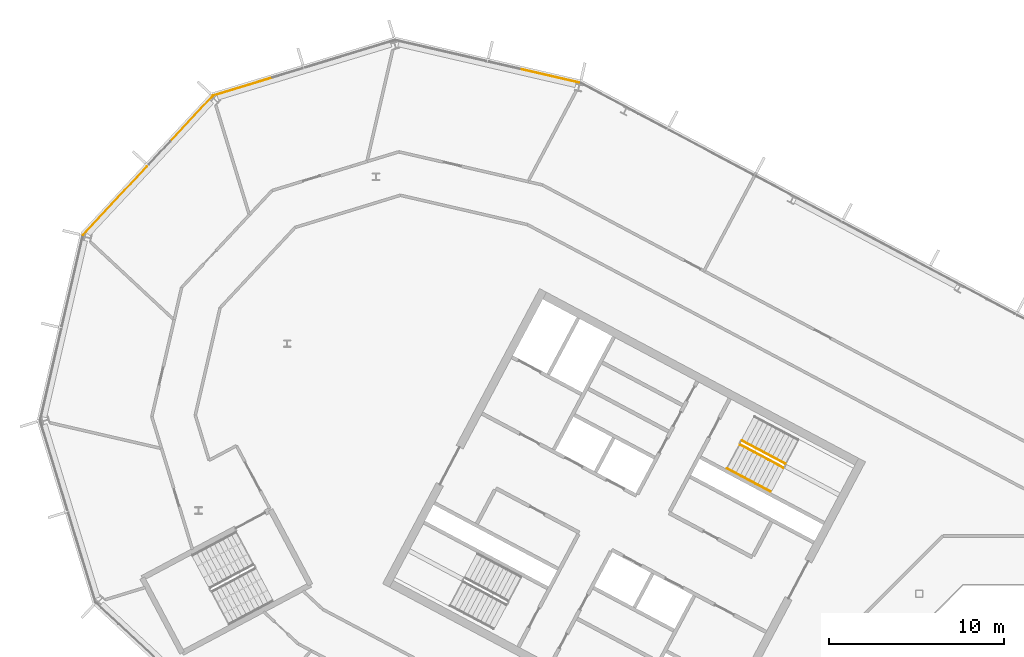
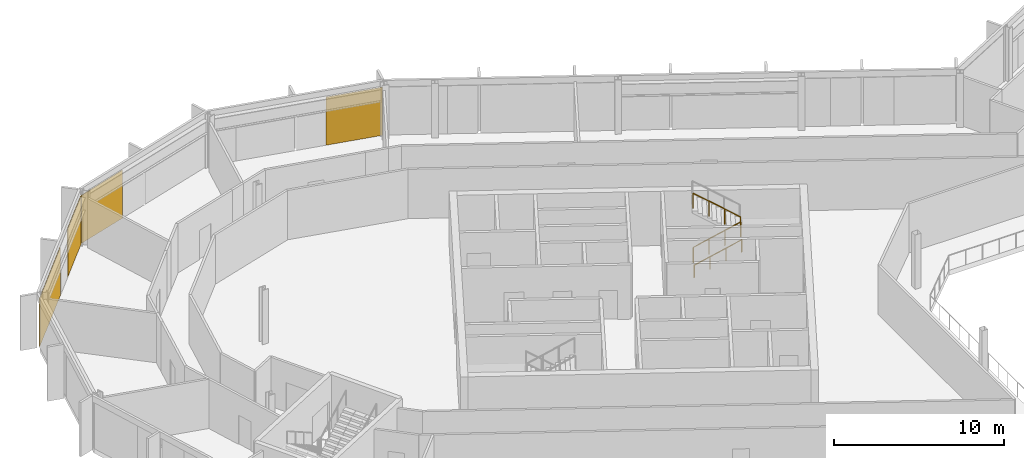
# One storey, part 22 of 26: 4 coverings, 3 railings, 3 elements without a shape of their own.
"""IFC4 building model written with IfcOpenShell, lengths in metres."""

from ifc_helpers import new_model, si_unit, direction, frame, origin, origin_2d, place, context, subcontext, project, spatial, polyline, rectangle, outline, extrude, material, layer, layer_set, type_object, element, aggregate, save


model = new_model("IFC4")

# Units and contexts
model_context = context("Model", 3, precision=1e-05, world=origin(), true_north=direction((0.0, 1.0)))
body_context = subcontext(model_context, "Body", "Model", "MODEL_VIEW")
ifc_project = project(units=[si_unit("LENGTHUNIT", "METRE"), si_unit("AREAUNIT", "SQUARE_METRE"), si_unit("VOLUMEUNIT", "CUBIC_METRE"), si_unit("PLANEANGLEUNIT", "RADIAN"), si_unit("MASSUNIT", "GRAM", prefix="KILO")], contexts=[model_context])

# Site, building, storey
site_placement = place(None, origin())
site = spatial("IfcSite", under=ifc_project, at=site_placement, CompositionType="ELEMENT")
building_placement = place(site_placement, origin())
building = spatial("IfcBuilding", under=site, at=building_placement, Name="Cormorant Relay Tower", CompositionType="ELEMENT")
storey_placement = place(building_placement, frame((0.0, 0.0, 285.300048828125)))
storey = spatial("IfcBuildingStorey", under=building, at=storey_placement, Name="L64", CompositionType="ELEMENT", Elevation=285.300048828125)

# Curtain wall, covering
ifc_material_1 = material(Name="Aluminium 6063-T6 anodised bronze", Category="aluminium")
ifc_layer_1 = layer(ifc_material_1, 0.199951171875)
ifc_layer_set_1 = layer_set([ifc_layer_1], Name="CW1 unitised bronze curtain wall with vertical fins")
curtain_wall_type = type_object("IfcCurtainWallType", Name="CW1 unitised bronze curtain wall with vertical fins", PredefinedType="NOTDEFINED", material=ifc_layer_set_1)
curtain_wall_1_placement = place(storey_placement, origin())
curtain_wall_1 = element("IfcCurtainWall", 1, at=curtain_wall_1_placement, inside=storey, type_object=curtain_wall_type, Name="CW1 curtain wall 10", PredefinedType="NOTDEFINED")
ifc_material_2 = material(Name="Pale bronze anodised aluminium insulated panel", Category="aluminium")
ifc_layer_2 = layer(ifc_material_2, 0.0400390625)
ifc_layer_set_2 = layer_set([ifc_layer_2], Name="CW1 pale bronze insulated panel 40")
covering_type = type_object("IfcCoveringType", Name="CW1 pale bronze insulated panel 40", PredefinedType="CLADDING", material=ifc_layer_set_2)
covering_1_placement = place(storey_placement, frame((-31.640380859375, 40.096435546875, 0.0), z_axis=(0.0, 0.0, 1.0), x_axis=(-0.974370064785, 0.224951054344, 0.0)))
covering_1 = element("IfcCovering", 2, at=covering_1_placement, type_object=covering_type, Name="CW1 panel S00", PredefinedType="CLADDING", context=body_context, shape_type="SweptSolid", body=[
    extrude(rectangle(XDim=3.485107421875, YDim=0.0400390625, at=origin_2d()), origin(), (0.0, 0.0, 1.0), 3.449951171875),
])
aggregate(curtain_wall_1, [covering_1])

curtain_wall_2_placement = place(storey_placement, origin())
curtain_wall_2 = element("IfcCurtainWall", 3, at=curtain_wall_2_placement, inside=storey, type_object=curtain_wall_type, Name="CW1 curtain wall 11", PredefinedType="NOTDEFINED")
covering_2_placement = place(storey_placement, frame((-49.16455078125, 39.474853515625, 0.0), z_axis=(0.0, 0.0, 1.0), x_axis=(-0.956304755963, -0.292371704723, 0.0)))
covering_2 = element("IfcCovering", 4, at=covering_2_placement, type_object=covering_type, Name="CW1 panel S02", PredefinedType="CLADDING", context=body_context, shape_type="SweptSolid", body=[
    extrude(rectangle(XDim=3.560302734375, YDim=0.0400390625, at=origin_2d()), origin(), (0.0, 0.0, 1.0), 3.449951171875),
])
aggregate(curtain_wall_2, [covering_2])

# Curtain wall, coverings
curtain_wall_3_placement = place(storey_placement, origin())
curtain_wall_3 = element("IfcCurtainWall", 5, at=curtain_wall_3_placement, inside=storey, type_object=curtain_wall_type, Name="CW1 curtain wall 12", PredefinedType="NOTDEFINED")
covering_3_placement = place(storey_placement, frame((-52.115234375, 37.61962890625, 0.0), z_axis=(0.0, 0.0, 1.0), x_axis=(-0.681998360062, -0.731353701619, 0.0)))
covering_3 = element("IfcCovering", 6, at=covering_3_placement, type_object=covering_type, Name="CW1 panel S00", PredefinedType="CLADDING", context=body_context, shape_type="SweptSolid", body=[
    extrude(rectangle(XDim=3.485107421875, YDim=0.0400390625, at=origin_2d()), origin(), (0.0, 0.0, 1.0), 3.449951171875),
])
covering_4_placement = place(storey_placement, frame((-56.461181640625, 32.958984375, 0.0), z_axis=(0.0, 0.0, 1.0), x_axis=(-0.681998360062, -0.731353701619, 0.0)))
covering_4 = element("IfcCovering", 7, at=covering_4_placement, type_object=covering_type, Name="CW1 panel S02", PredefinedType="CLADDING", context=body_context, shape_type="SweptSolid", body=[
    extrude(rectangle(XDim=5.360107421875, YDim=0.0400390625, at=origin_2d()), origin(), (0.0, 0.0, 1.0), 3.449951171875),
])
aggregate(curtain_wall_3, [covering_3, covering_4])

# Railings
ifc_material_3 = material(Name="Steel ASTM A572 Grade 50 (Fy 345 MPa)", Category="steel")
railing_type_1 = type_object("IfcRailingType", Name="Stair guard 1100", PredefinedType="GUARDRAIL", material=ifc_material_3)
railing_1_placement = place(storey_placement, frame((-20.75048828125, 19.017822265625, 0.17724609375)))
element("IfcRailing", 8, at=railing_1_placement, inside=storey, type_object=railing_type_1, Name="L64 A1 stair guard 1", PredefinedType="GUARDRAIL", context=body_context, shape_type="SweptSolid", body=[
    extrude(outline(polyline([(0.022216796875, 0.00927734375), (0.00927734375, 0.022216796875), (-0.00927734375, 0.022216796875), (-0.022216796875, 0.00927734375), (-0.022216796875, -0.00927734375), (-0.00927734375, -0.022216796875), (0.00927734375, -0.022216796875), (0.022216796875, -0.00927734375), (0.022216796875, 0.00927734375)])), frame((0.0, 0.0, 1.076171875), z_axis=(0.746001213114, -0.396649272309, 0.534931345884), x_axis=(0.469465464807, 0.882950835185, 0.0)), (0.0, 0.0, 1.0), 3.31396484375),
    extrude(outline(polyline([(0.019287109375, 0.008056640625), (0.008056640625, 0.019287109375), (-0.008056640625, 0.019287109375), (-0.019287109375, 0.008056640625), (-0.019287109375, -0.008056640625), (-0.008056640625, -0.019287109375), (0.008056640625, -0.019287109375), (0.019287109375, -0.008056640625), (0.019287109375, 0.008056640625)])), origin(), (0.0, 0.0, 1.0), 1.052001953125),
    extrude(outline(polyline([(0.019287109375, 0.008056640625), (0.008056640625, 0.019287109375), (-0.008056640625, 0.019287109375), (-0.019287109375, 0.008056640625), (-0.019287109375, -0.008056640625), (-0.008056640625, -0.019287109375), (0.008056640625, -0.019287109375), (0.019287109375, -0.008056640625), (0.019287109375, 0.008056640625)])), frame((0.823974609375, -0.438232421875, 0.5908203125)), (0.0, 0.0, 1.0), 1.052001953125),
    extrude(outline(polyline([(0.019287109375, 0.008056640625), (0.008056640625, 0.019287109375), (-0.008056640625, 0.019287109375), (-0.019287109375, 0.008056640625), (-0.019287109375, -0.008056640625), (-0.008056640625, -0.019287109375), (0.008056640625, -0.019287109375), (0.019287109375, -0.008056640625), (0.019287109375, 0.008056640625)])), frame((1.648193359375, -0.876220703125, 1.181884765625)), (0.0, 0.0, 1.0), 1.052001953125),
    extrude(outline(polyline([(0.019287109375, 0.008056640625), (0.008056640625, 0.019287109375), (-0.008056640625, 0.019287109375), (-0.019287109375, 0.008056640625), (-0.019287109375, -0.008056640625), (-0.008056640625, -0.019287109375), (0.008056640625, -0.019287109375), (0.019287109375, -0.008056640625), (0.019287109375, 0.008056640625)])), frame((2.47216796875, -1.314453125, 1.772705078125)), (0.0, 0.0, 1.0), 1.052001953125),
])
railing_2_placement = place(storey_placement, frame((-18.160888671875, 17.924072265625, 2.127197265625)))
element("IfcRailing", 9, at=railing_2_placement, inside=storey, type_object=railing_type_1, Name="L64 A1 stair guard 3", PredefinedType="GUARDRAIL", context=body_context, shape_type="SweptSolid", body=[
    extrude(outline(polyline([(0.022216796875, 0.00927734375), (0.00927734375, 0.022216796875), (-0.00927734375, 0.022216796875), (-0.022216796875, 0.00927734375), (-0.022216796875, -0.00927734375), (-0.00927734375, -0.022216796875), (0.00927734375, -0.022216796875), (0.022216796875, -0.00927734375), (0.022216796875, 0.00927734375)])), frame((0.0, 0.0, 1.076171875), z_axis=(-0.746033882577, 0.396627473466, 0.534901947407), x_axis=(-0.469429322983, -0.882970050864, 0.0)), (0.0, 0.0, 1.0), 3.31396484375),
    extrude(outline(polyline([(0.019287109375, 0.008056640625), (0.008056640625, 0.019287109375), (-0.008056640625, 0.019287109375), (-0.019287109375, 0.008056640625), (-0.019287109375, -0.008056640625), (-0.008056640625, -0.019287109375), (0.008056640625, -0.019287109375), (0.019287109375, -0.008056640625), (0.019287109375, 0.008056640625)])), origin(), (0.0, 0.0, 1.0), 1.052001953125),
    extrude(outline(polyline([(0.019287109375, 0.008056640625), (0.008056640625, 0.019287109375), (-0.008056640625, 0.019287109375), (-0.019287109375, 0.008056640625), (-0.019287109375, -0.008056640625), (-0.008056640625, -0.019287109375), (0.008056640625, -0.019287109375), (0.019287109375, -0.008056640625), (0.019287109375, 0.008056640625)])), frame((-0.82421875, 0.438232421875, 0.5908203125)), (0.0, 0.0, 1.0), 1.052001953125),
    extrude(outline(polyline([(0.019287109375, 0.008056640625), (0.008056640625, 0.019287109375), (-0.008056640625, 0.019287109375), (-0.019287109375, 0.008056640625), (-0.019287109375, -0.008056640625), (-0.008056640625, -0.019287109375), (0.008056640625, -0.019287109375), (0.019287109375, -0.008056640625), (0.019287109375, 0.008056640625)])), frame((-1.648193359375, 0.876220703125, 1.181884765625)), (0.0, 0.0, 1.0), 1.052001953125),
    extrude(outline(polyline([(0.019287109375, 0.008056640625), (0.008056640625, 0.019287109375), (-0.008056640625, 0.019287109375), (-0.019287109375, 0.008056640625), (-0.019287109375, -0.008056640625), (-0.008056640625, -0.019287109375), (0.008056640625, -0.019287109375), (0.019287109375, -0.008056640625), (0.019287109375, 0.008056640625)])), frame((-2.472412109375, 1.314453125, 1.772705078125)), (0.0, 0.0, 1.0), 1.052001953125),
])
ifc_material_4 = material(Name="Steel ASTM A572 Grade 50 (Fy 345 MPa)", Category="steel")
railing_type_2 = type_object("IfcRailingType", Name="Stair handrail 900", PredefinedType="HANDRAIL", material=ifc_material_4)
railing_3_placement = place(storey_placement, frame((-21.478271484375, 17.6494140625, 0.17724609375)))
element("IfcRailing", 10, at=railing_3_placement, inside=storey, type_object=railing_type_2, Name="L64 A1 stair handrail 1", PredefinedType="HANDRAIL", context=body_context, shape_type="SweptSolid", body=[
    extrude(outline(polyline([(0.022216796875, 0.00927734375), (0.00927734375, 0.022216796875), (-0.00927734375, 0.022216796875), (-0.022216796875, 0.00927734375), (-0.022216796875, -0.00927734375), (-0.00927734375, -0.022216796875), (0.00927734375, -0.022216796875), (0.022216796875, -0.00927734375), (0.022216796875, 0.00927734375)])), frame((0.0, 0.0, 0.8759765625), z_axis=(0.746012083385, -0.396689549623, 0.534886317514), x_axis=(0.469497295046, 0.882933910293, 0.0)), (0.0, 0.0, 1.0), 3.314208984375),
    extrude(outline(polyline([(0.019287109375, 0.008056640625), (0.008056640625, 0.019287109375), (-0.008056640625, 0.019287109375), (-0.019287109375, 0.008056640625), (-0.019287109375, -0.008056640625), (-0.008056640625, -0.019287109375), (0.008056640625, -0.019287109375), (0.019287109375, -0.008056640625), (0.019287109375, 0.008056640625)])), origin(), (0.0, 0.0, 1.0), 0.851806640625),
    extrude(outline(polyline([(0.019287109375, 0.008056640625), (0.008056640625, 0.019287109375), (-0.008056640625, 0.019287109375), (-0.019287109375, 0.008056640625), (-0.019287109375, -0.008056640625), (-0.008056640625, -0.019287109375), (0.008056640625, -0.019287109375), (0.019287109375, -0.008056640625), (0.019287109375, 0.008056640625)])), frame((0.82421875, -0.438232421875, 0.5908203125)), (0.0, 0.0, 1.0), 0.851806640625),
    extrude(outline(polyline([(0.019287109375, 0.008056640625), (0.008056640625, 0.019287109375), (-0.008056640625, 0.019287109375), (-0.019287109375, 0.008056640625), (-0.019287109375, -0.008056640625), (-0.008056640625, -0.019287109375), (0.008056640625, -0.019287109375), (0.019287109375, -0.008056640625), (0.019287109375, 0.008056640625)])), frame((1.648193359375, -0.87646484375, 1.181884765625)), (0.0, 0.0, 1.0), 0.851806640625),
    extrude(outline(polyline([(0.019287109375, 0.008056640625), (0.008056640625, 0.019287109375), (-0.008056640625, 0.019287109375), (-0.019287109375, 0.008056640625), (-0.019287109375, -0.008056640625), (-0.008056640625, -0.019287109375), (0.008056640625, -0.019287109375), (0.019287109375, -0.008056640625), (0.019287109375, 0.008056640625)])), frame((2.472412109375, -1.314697265625, 1.772705078125)), (0.0, 0.0, 1.0), 0.851806640625),
])

save(model, "model.ifc")
